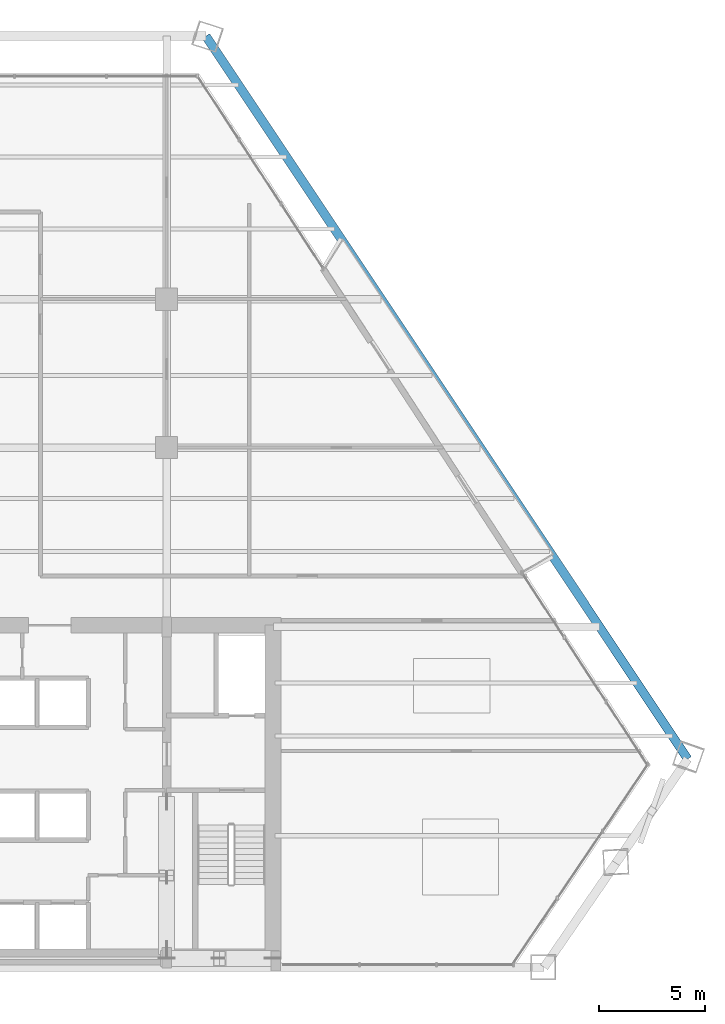
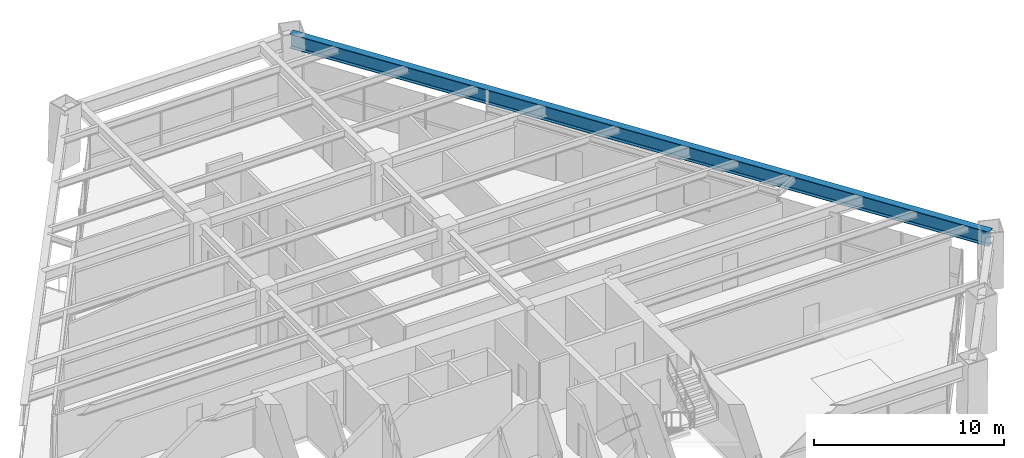
# One storey, part 7 of 14: 1 beam.
"""IFC4 building model written with IfcOpenShell, lengths in metres."""

from ifc_helpers import new_model, si_unit, direction, frame, origin, origin_2d, place, context, subcontext, project, spatial, i_section, extrude, source, transform, mapped, material, material_profile, profile_set, type_object, element, save


model = new_model("IFC4")

# Units and contexts
model_context = context("Model", 3, precision=1e-05, world=origin(), true_north=direction((0.0, 1.0)))
body_context = subcontext(model_context, "Body", "Model", "MODEL_VIEW")
ifc_project = project(units=[si_unit("LENGTHUNIT", "METRE"), si_unit("AREAUNIT", "SQUARE_METRE"), si_unit("VOLUMEUNIT", "CUBIC_METRE"), si_unit("PLANEANGLEUNIT", "RADIAN"), si_unit("MASSUNIT", "GRAM", prefix="KILO")], contexts=[model_context])

# Site, building, storey
site_placement = place(None, origin())
site = spatial("IfcSite", under=ifc_project, at=site_placement, CompositionType="ELEMENT")
building_placement = place(site_placement, origin())
building = spatial("IfcBuilding", under=site, at=building_placement, Name="Varnakhor Terracotta Tower", CompositionType="ELEMENT")
storey_placement = place(building_placement, frame((0.0, 0.0, 80.300048828125)))
storey = spatial("IfcBuildingStorey", under=building, at=storey_placement, Name="L19", CompositionType="ELEMENT", Elevation=80.300048828125)

# Beam
ifc_material = material(Name="Steel S355", Category="steel")
ifc_material_profile = material_profile(ifc_material, i_section(OverallWidth=0.41796875, OverallDepth=0.927001953125, WebThickness=0.01904296875, FlangeThickness=0.031982421875, FilletRadius=0.01806640625, at=origin_2d()), Name="W36X231")
ifc_profile_set = profile_set([ifc_material_profile], Name="Steel S355")
beam_type = type_object("IfcBeamType", Name="BM-W36X231", PredefinedType="BEAM", material=ifc_profile_set)
shared_shape = source(origin(), body_context, "Body", "SweptSolid", [
    extrude(i_section(OverallWidth=0.41796875, OverallDepth=0.927001953125, WebThickness=0.01904296875, FlangeThickness=0.031982421875, FilletRadius=0.01806640625, at=origin_2d()), origin(), (0.0, 0.0, 1.0), 40.959716796875),
])
beam_placement = place(storey_placement, frame((30.068115234375, 9.81787109375, 2.986572265625), z_axis=(-0.554547506258, 0.832152067415, 0.0), x_axis=(-0.832152067415, -0.554547506258, 0.0)))
element("IfcBeam", 1, at=beam_placement, inside=storey, type_object=beam_type, Name="L19 Perimeter Spandrel 4", PredefinedType="BEAM", context=body_context, shape_type="MappedRepresentation", body=[
    mapped(shared_shape, transform((0.0, 0.0, 0.0), scale=1.0)),
])

save(model, "model.ifc")
